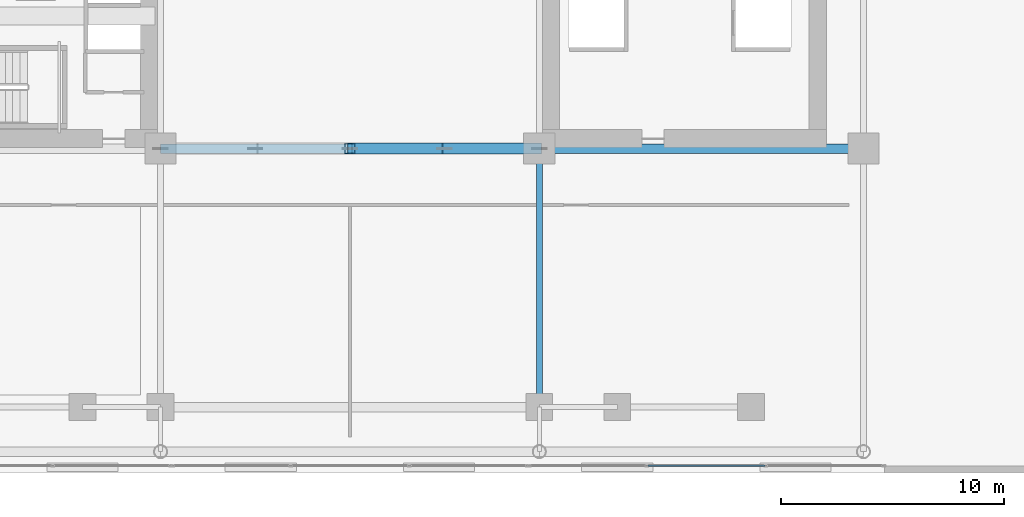
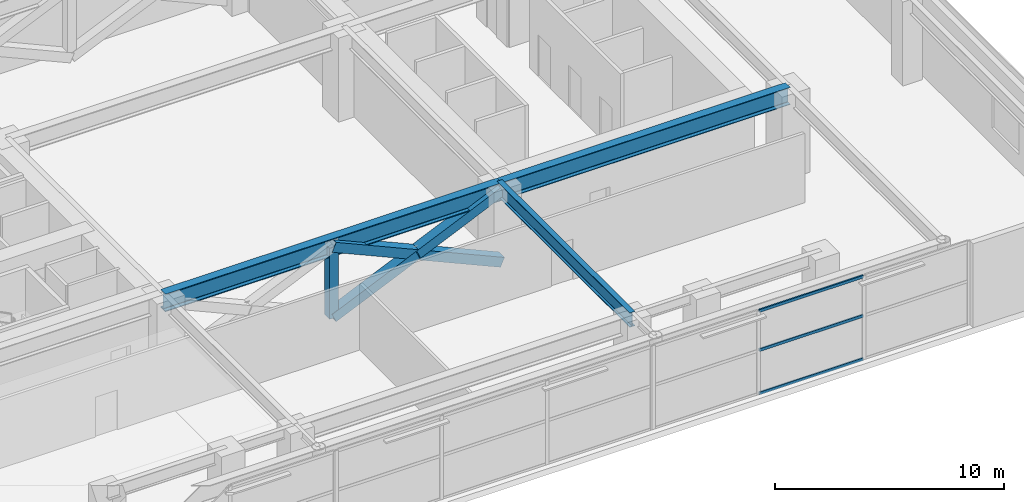
# One storey, part 9 of 28: 7 members, 3 beams, 1 element without a shape of its own.
"""IFC4 building model written with IfcOpenShell, lengths in metres."""

from ifc_helpers import new_model, si_unit, direction, frame, origin, origin_2d, place, context, subcontext, project, spatial, hollow_rectangle, i_section, extrude, source, transform, mapped, material, layer, layer_set, material_profile, profile_set, type_object, element, aggregate, save


model = new_model("IFC4")

# Units and contexts
model_context = context("Model", 3, precision=1e-05, world=origin(), true_north=direction((0.0, 1.0)))
body_context = subcontext(model_context, "Body", "Model", "MODEL_VIEW")
ifc_project = project(units=[si_unit("LENGTHUNIT", "METRE"), si_unit("AREAUNIT", "SQUARE_METRE"), si_unit("VOLUMEUNIT", "CUBIC_METRE"), si_unit("PLANEANGLEUNIT", "RADIAN"), si_unit("MASSUNIT", "GRAM", prefix="KILO")], contexts=[model_context])

# Site, building, storey
site_placement = place(None, origin())
site = spatial("IfcSite", under=ifc_project, at=site_placement, CompositionType="ELEMENT")
building_placement = place(site_placement, origin())
building = spatial("IfcBuilding", under=site, at=building_placement, Name="Ocotamira Hotel", CompositionType="ELEMENT")
storey_placement = place(building_placement, frame((0.0, 0.0, 24.0)))
storey = spatial("IfcBuildingStorey", under=building, at=storey_placement, Name="L05", CompositionType="ELEMENT", Elevation=24.0)

# Beams
ifc_material_1 = material(Name="Steel ASTM A992 Grade 50", Category="steel")
ifc_material_profile_1 = material_profile(ifc_material_1, i_section(OverallWidth=0.41796875, OverallDepth=0.927001953125, WebThickness=0.019287109375, FlangeThickness=0.031982421875, FilletRadius=0.02392578125, at=origin_2d()), Name="W36X231")
ifc_profile_set_1 = profile_set([ifc_material_profile_1], Name="Steel ASTM A992 Grade 50")
beam_type_1 = type_object("IfcBeamType", Name="BM-GIRD-W36X231", PredefinedType="BEAM", material=ifc_profile_set_1)
shared_shape_1 = source(origin(), body_context, "Body", "SweptSolid", [
    extrude(i_section(OverallWidth=0.41796875, OverallDepth=0.927001953125, WebThickness=0.019287109375, FlangeThickness=0.031982421875, FilletRadius=0.02392578125, at=origin_2d()), origin(), (0.0, 0.0, 1.0), 14.550048828125),
])
beam_1_placement = place(storey_placement, frame((40.5, 14.550048828125, 4.0166015625), z_axis=(1.0, 0.0, 0.0), x_axis=(0.0, 1.0, 0.0)))
element("IfcBeam", 1, at=beam_1_placement, inside=storey, type_object=beam_type_1, Name="L05 Girder Y14.55 X40.5-55.05", PredefinedType="BEAM", context=body_context, shape_type="MappedRepresentation", body=[
    mapped(shared_shape_1, transform((0.0, 0.0, 0.0), scale=1.0)),
])
ifc_material_profile_2 = material_profile(ifc_material_1, i_section(OverallWidth=0.26611328125, OverallDepth=0.779052734375, WebThickness=0.0166015625, FlangeThickness=0.030029296875, FilletRadius=0.01806640625, at=origin_2d()), Name="W30X148")
ifc_profile_set_2 = profile_set([ifc_material_profile_2], Name="Steel ASTM A992 Grade 50")
beam_type_2 = type_object("IfcBeamType", Name="BM-GIRD-W30X148", PredefinedType="BEAM", material=ifc_profile_set_2)
shared_shape_2 = source(origin(), body_context, "Body", "SweptSolid", [
    extrude(i_section(OverallWidth=0.26611328125, OverallDepth=0.779052734375, WebThickness=0.0166015625, FlangeThickness=0.030029296875, FilletRadius=0.01806640625, at=origin_2d()), origin(), (0.0, 0.0, 1.0), 11.60009765625),
])
beam_2_placement = place(storey_placement, frame((40.5, 2.949951171875, 4.090576171875), z_axis=(0.0, 1.0, 0.0), x_axis=(-1.0, 0.0, 0.0)))
element("IfcBeam", 2, at=beam_2_placement, inside=storey, type_object=beam_type_2, Name="L05 Beam X40.5 Y2.95-14.55", PredefinedType="BEAM", context=body_context, shape_type="MappedRepresentation", body=[
    mapped(shared_shape_2, transform((0.0, 0.0, 0.0), scale=1.0)),
])
ifc_material_2 = material(Name="Steel ASTM A913 Grade 65", Category="steel")
ifc_material_profile_3 = material_profile(ifc_material_2, i_section(OverallWidth=0.423095703125, OverallDepth=0.947998046875, WebThickness=0.02392578125, FlangeThickness=0.042724609375, FilletRadius=0.02392578125, at=origin_2d()), Name="W36X302")
ifc_profile_set_3 = profile_set([ifc_material_profile_3], Name="Steel ASTM A913 Grade 65")
beam_type_3 = type_object("IfcBeamType", Name="BM-TRUSS-W36X302", PredefinedType="BEAM", material=ifc_profile_set_3)
shared_shape_3 = source(origin(), body_context, "Body", "SweptSolid", [
    extrude(i_section(OverallWidth=0.423095703125, OverallDepth=0.947998046875, WebThickness=0.02392578125, FlangeThickness=0.042724609375, FilletRadius=0.02392578125, at=origin_2d()), origin(), (0.0, 0.0, 1.0), 17.0),
])
beam_3_placement = place(storey_placement, frame((23.5, 14.550048828125, 4.006103515625), z_axis=(1.0, 0.0, 0.0), x_axis=(0.0, 1.0, 0.0)))
element("IfcBeam", 3, at=beam_3_placement, inside=storey, type_object=beam_type_3, Name="L05 Girder Y14.55 X23.5-40.5", PredefinedType="BEAM", context=body_context, shape_type="MappedRepresentation", body=[
    mapped(shared_shape_3, transform((0.0, 0.0, 0.0), scale=1.0)),
])

# Members
ifc_material_profile_4 = material_profile(ifc_material_2, hollow_rectangle(XDim=0.449951171875, YDim=0.449951171875, WallThickness=0.01611328125, at=origin_2d()), Name="HSS450X450X16")
ifc_profile_set_4 = profile_set([ifc_material_profile_4], Name="Steel ASTM A913 Grade 65")
member_type_1 = type_object("IfcMemberType", Name="MEM-POST-HSS450", PredefinedType="POST", material=ifc_profile_set_4)
shared_shape_4 = source(origin(), body_context, "Body", "SweptSolid", [
    extrude(hollow_rectangle(XDim=0.449951171875, YDim=0.449951171875, WallThickness=0.01611328125, at=origin_2d()), origin(), (0.0, 0.0, 1.0), 3.780029296875),
])
member_1_placement = place(storey_placement, frame((32.0, 14.550048828125, 0.25), z_axis=(0.0, 0.0, 1.0), x_axis=(1.0, 0.0, 0.0)))
element("IfcMember", 4, at=member_1_placement, inside=storey, type_object=member_type_1, Name="L05 Portal Transfer Truss Post Y14.55", PredefinedType="POST", context=body_context, shape_type="MappedRepresentation", body=[
    mapped(shared_shape_4, transform((0.0, 0.0, 0.0), scale=1.0)),
])
ifc_material_profile_5 = material_profile(ifc_material_2, hollow_rectangle(XDim=0.5, YDim=0.5, WallThickness=0.02001953125, at=origin_2d()), Name="HSS500X500X20")
ifc_profile_set_5 = profile_set([ifc_material_profile_5], Name="Steel ASTM A913 Grade 65")
member_type_2 = type_object("IfcMemberType", Name="MEM-OUT-HSS500", PredefinedType="BRACE", material=ifc_profile_set_5)
shared_shape_5 = source(origin(), body_context, "Body", "SweptSolid", [
    extrude(hollow_rectangle(XDim=0.5, YDim=0.5, WallThickness=0.02001953125, at=origin_2d()), origin(), (0.0, 0.0, 1.0), 9.302734375),
])
member_2_placement = place(storey_placement, frame((32.0, 14.550048828125, 4.030029296875), z_axis=(0.913721700404, 0.0, -0.40634056432), x_axis=(0.0, 1.0, 0.0)))
element("IfcMember", 5, at=member_2_placement, inside=storey, type_object=member_type_2, Name="L05 Portal Transfer Truss Diagonal Y14.55-2", PredefinedType="BRACE", context=body_context, shape_type="MappedRepresentation", body=[
    mapped(shared_shape_5, transform((0.0, 0.0, 0.0), scale=1.0)),
])
shared_shape_6 = source(origin(), body_context, "Body", "SweptSolid", [
    extrude(hollow_rectangle(XDim=0.5, YDim=0.5, WallThickness=0.02001953125, at=origin_2d()), origin(), (0.0, 0.0, 1.0), 4.63134765625),
])
for number, where, z_axis, x_axis, name in (
    (6, (32.0, 14.550048828125, 0.25), (0.913724573626, 0.0, 0.406334103358), (0.0, 1.0, 0.0), "L05 Portal Transfer Truss Diagonal Y14.55-4 Lower Half"),
    (7, (36.268310546875, 14.550048828125, 2.148193359375), (0.913724573626, 0.0, 0.406334103358), (0.0, 1.0, 0.0), "L05 Portal Transfer Truss Diagonal Y14.55-4 Upper Half"),
):
    element("IfcMember", number, at=place(storey_placement, frame(where, z_axis=z_axis, x_axis=x_axis)), inside=storey, type_object=member_type_2, Name=name, PredefinedType="BRACE", context=body_context, shape_type="MappedRepresentation", body=[
        mapped(shared_shape_6, transform((0.0, 0.0, 0.0), scale=1.0)),
    ])

# Curtain wall, members
ifc_material_3 = material(Name="Anodised pale-metal aluminium and solar glass", Category="aluminium")
ifc_layer = layer(ifc_material_3, 0.219970703125)
ifc_layer_set = layer_set([ifc_layer], Name="Anodised pale-metal aluminium and solar glass")
curtain_wall_type = type_object("IfcCurtainWallType", Name="CW-SYS1-POD", PredefinedType="NOTDEFINED", material=ifc_layer_set)
curtain_wall_placement = place(storey_placement, origin())
curtain_wall = element("IfcCurtainWall", 8, at=curtain_wall_placement, inside=storey, type_object=curtain_wall_type, Name="L05 Curtain Wall CW-1 CW-L05-S3", PredefinedType="NOTDEFINED")
ifc_material_4 = material(Name="Anodised pale-metal aluminium 6063-T6", Category="aluminium")
ifc_material_profile_6 = material_profile(ifc_material_4, hollow_rectangle(XDim=0.074951171875, YDim=0.14990234375, WallThickness=0.006103515625, at=origin_2d()), Name="HSS150X75X6")
ifc_profile_set_6 = profile_set([ifc_material_profile_6], Name="Anodised pale-metal aluminium 6063-T6")
member_type_3 = type_object("IfcMemberType", Name="CWT-150X75", PredefinedType="USERDEFINED", material=ifc_profile_set_6)
shared_shape_7 = source(origin(), body_context, "Body", "SweptSolid", [
    extrude(hollow_rectangle(XDim=0.074951171875, YDim=0.14990234375, WallThickness=0.006103515625, at=origin_2d()), origin(), (0.0, 0.0, 1.0), 5.25341796875),
])
member_3_placement = place(storey_placement, frame((45.373291015625, 0.320068359375, 0.03759765625), z_axis=(1.0, 0.0, 0.0), x_axis=(0.0, 1.0, 0.0)))
member_3 = element("IfcMember", 9, at=member_3_placement, type_object=member_type_3, Name="CW-1 transom 2.1", ObjectType="TRANSOM", PredefinedType="USERDEFINED", context=body_context, shape_type="MappedRepresentation", body=[
    mapped(shared_shape_7, transform((0.0, 0.0, 0.0), scale=1.0)),
])
member_4_placement = place(storey_placement, frame((45.373291015625, 0.320068359375, 2.35009765625), z_axis=(1.0, 0.0, 0.0), x_axis=(0.0, 1.0, 0.0)))
member_4 = element("IfcMember", 10, at=member_4_placement, type_object=member_type_3, Name="CW-1 transom 2.2", ObjectType="TRANSOM", PredefinedType="USERDEFINED", context=body_context, shape_type="MappedRepresentation", body=[
    mapped(shared_shape_7, transform((0.0, 0.0, 0.0), scale=1.0)),
])
member_5_placement = place(storey_placement, frame((45.373291015625, 0.320068359375, 4.4423828125), z_axis=(1.0, 0.0, 0.0), x_axis=(0.0, 1.0, 0.0)))
member_5 = element("IfcMember", 11, at=member_5_placement, type_object=member_type_3, Name="CW-1 transom 2.3", ObjectType="TRANSOM", PredefinedType="USERDEFINED", context=body_context, shape_type="MappedRepresentation", body=[
    mapped(shared_shape_7, transform((0.0, 0.0, 0.0), scale=1.0)),
])
aggregate(curtain_wall, [member_3, member_4, member_5])

save(model, "model.ifc")
